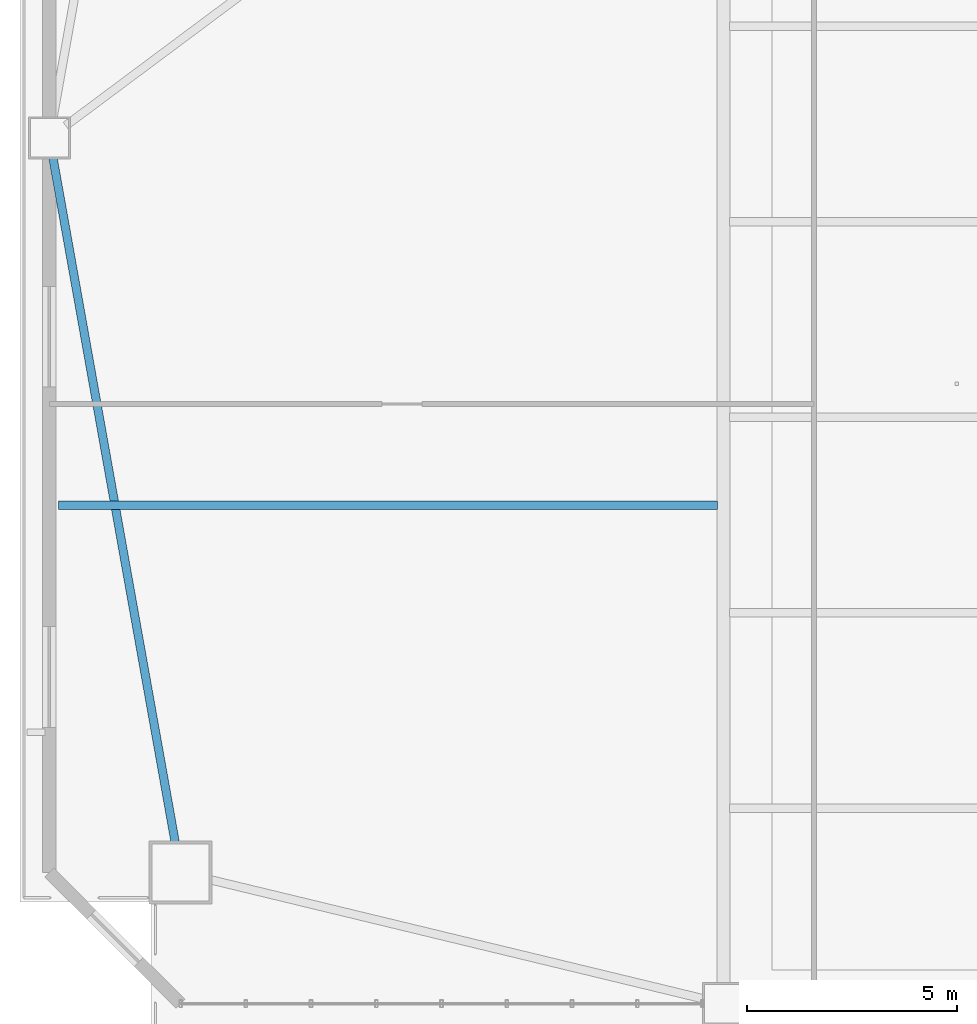
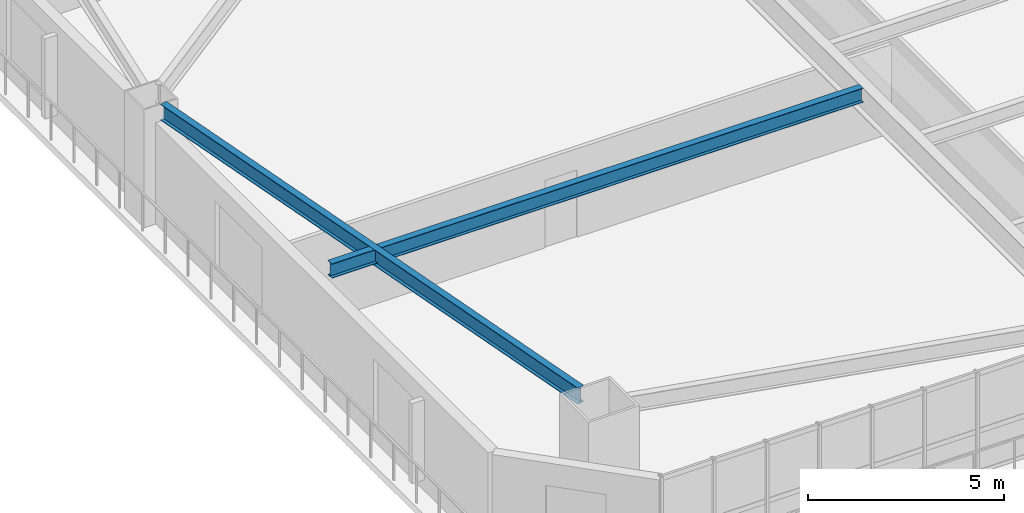
# One storey, part 3 of 18: 2 beams.
"""IFC4 building model written with IfcOpenShell, lengths in metres."""

from ifc_helpers import new_model, si_unit, direction, frame, origin, origin_2d, place, context, subcontext, project, spatial, i_section, extrude, source, transform, mapped, material, material_profile, profile_set, type_object, element, save


model = new_model("IFC4")

# Units and contexts
model_context = context("Model", 3, precision=1e-05, world=origin(), true_north=direction((0.0, 1.0)))
body_context = subcontext(model_context, "Body", "Model", "MODEL_VIEW")
ifc_project = project(units=[si_unit("LENGTHUNIT", "METRE"), si_unit("AREAUNIT", "SQUARE_METRE"), si_unit("VOLUMEUNIT", "CUBIC_METRE"), si_unit("PLANEANGLEUNIT", "RADIAN"), si_unit("MASSUNIT", "GRAM", prefix="KILO")], contexts=[model_context])

# Site, building, storey
site_placement = place(None, origin())
site = spatial("IfcSite", under=ifc_project, at=site_placement, CompositionType="ELEMENT")
building_placement = place(site_placement, origin())
building = spatial("IfcBuilding", under=site, at=building_placement, Name="Giltprow Tower", CompositionType="ELEMENT")
storey_placement = place(building_placement, frame((0.0, 0.0, 61.10009765625)))
storey = spatial("IfcBuildingStorey", under=building, at=storey_placement, Name="L15", CompositionType="ELEMENT", Elevation=61.10009765625)

# Beams
ifc_material = material(Name="Structural steel Q355B", Category="steel")
ifc_material_profile_1 = material_profile(ifc_material, i_section(OverallWidth=0.199951171875, OverallDepth=0.449951171875, WebThickness=0.009033203125, FlangeThickness=0.013916015625, at=origin_2d()), Name="HN 450x200x9x14")
ifc_profile_set_1 = profile_set([ifc_material_profile_1], Name="Structural steel Q355B")
beam_type_1 = type_object("IfcBeamType", Name="BM-JOIST-HN450", PredefinedType="JOIST", material=ifc_profile_set_1)
shared_shape_1 = source(origin(), body_context, "Body", "SweptSolid", [
    extrude(i_section(OverallWidth=0.199951171875, OverallDepth=0.449951171875, WebThickness=0.009033203125, FlangeThickness=0.013916015625, at=origin_2d()), origin(), (0.0, 0.0, 1.0), 15.68017578125),
])
beam_1_placement = place(storey_placement, frame((4.02490234375, 16.7470703125, 3.454833984375), z_axis=(1.0, 0.0, 0.0), x_axis=(0.0, 1.0, 0.0)))
element("IfcBeam", 1, at=beam_1_placement, inside=storey, type_object=beam_type_1, Name="L15 West Wing Floor Joist 1", PredefinedType="JOIST", context=body_context, shape_type="MappedRepresentation", body=[
    mapped(shared_shape_1, transform((0.0, 0.0, 0.0), x_axis=(1.0, 0.0, 0.0), y_axis=(0.0, 1.0, 0.0), z_axis=(0.0, 0.0, 1.0), scale=1.0)),
])
ifc_material_profile_2 = material_profile(ifc_material, i_section(OverallWidth=0.199951171875, OverallDepth=0.5, WebThickness=0.010009765625, FlangeThickness=0.01611328125, at=origin_2d()), Name="HN 500x200x10x16")
ifc_profile_set_2 = profile_set([ifc_material_profile_2], Name="Structural steel Q355B")
beam_type_2 = type_object("IfcBeamType", Name="BM-SPAN-HN500", PredefinedType="SPANDREL", material=ifc_profile_set_2)
shared_shape_2 = source(origin(), body_context, "Body", "SweptSolid", [
    extrude(i_section(OverallWidth=0.199951171875, OverallDepth=0.5, WebThickness=0.010009765625, FlangeThickness=0.01611328125, at=origin_2d()), origin(), (0.0, 0.0, 1.0), 16.54345703125),
])
beam_2_placement = place(storey_placement, frame((3.889892578125, 25.013916015625, 3.429931640625), z_axis=(0.175791149249, -0.9844274843, 0.0), x_axis=(0.9844274843, 0.175791149249, 0.0)))
element("IfcBeam", 2, at=beam_2_placement, inside=storey, type_object=beam_type_2, Name="L15 Perimeter Spandrel Beam W_MID-MC_SW", PredefinedType="SPANDREL", context=body_context, shape_type="MappedRepresentation", body=[
    mapped(shared_shape_2, transform((0.0, 0.0, 0.0), x_axis=(1.0, 0.0, 0.0), y_axis=(0.0, 1.0, 0.0), z_axis=(0.0, 0.0, 1.0), scale=1.0)),
])

save(model, "model.ifc")
